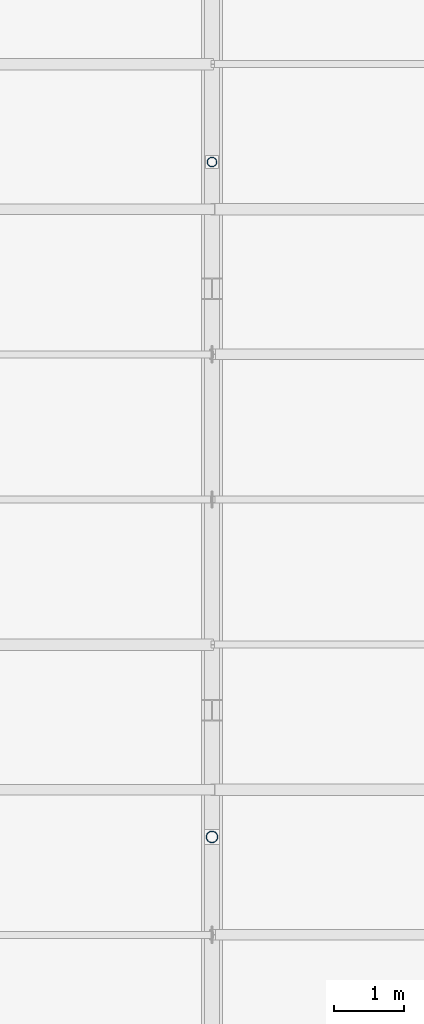
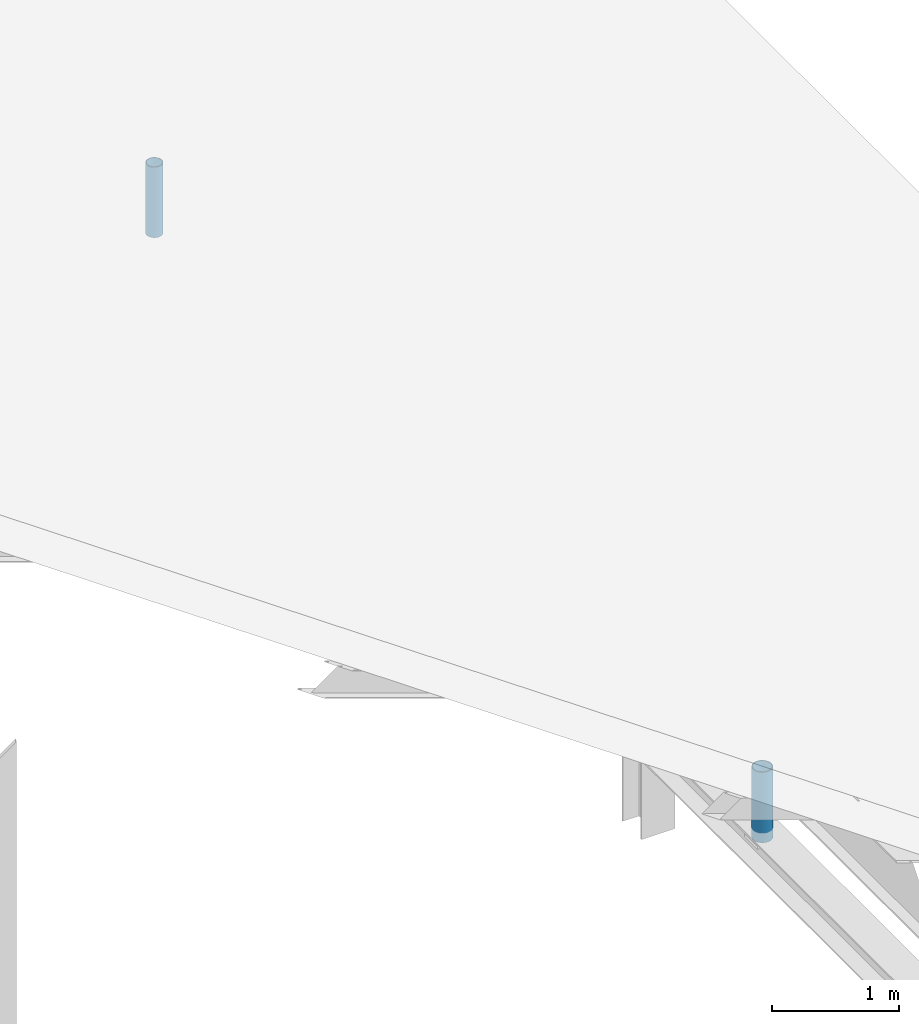
# One storey, part 32 of 74: 2 members.
"""IFC4 building model written with IfcOpenShell, lengths in metres."""

from ifc_helpers import new_model, si_unit, direction, frame, origin, origin_2d, place, context, subcontext, project, spatial, hollow_circle, extrude, material, material_profile, profile_set, type_object, element, save


model = new_model("IFC4")

# Units and contexts
model_context = context("Model", 3, precision=1e-05, world=origin(), true_north=direction((0.0, 1.0)))
body_context = subcontext(model_context, "Body", "Model", "MODEL_VIEW")
ifc_project = project(units=[si_unit("LENGTHUNIT", "METRE"), si_unit("AREAUNIT", "SQUARE_METRE"), si_unit("VOLUMEUNIT", "CUBIC_METRE"), si_unit("PLANEANGLEUNIT", "RADIAN"), si_unit("MASSUNIT", "GRAM", prefix="KILO")], contexts=[model_context])

# Site, building, storey
site_placement = place(None, origin())
site = spatial("IfcSite", under=ifc_project, at=site_placement, CompositionType="ELEMENT")
building_placement = place(site_placement, origin())
building = spatial("IfcBuilding", under=site, at=building_placement, Name="Siltcreek Boulevard Central Fire Station", CompositionType="ELEMENT")
storey_placement = place(building_placement, frame((0.0, 0.0, 25.199951171875)))
storey = spatial("IfcBuildingStorey", under=building, at=storey_placement, Name="RF", CompositionType="ELEMENT", Elevation=25.199951171875)

# Members
ifc_material = material(Name="Structural steel ASTM A500 GrC", Category="steel")
ifc_material_profile_1 = material_profile(ifc_material, hollow_circle(Radius=0.06982421875, WallThickness=0.00634765625, at=origin_2d()), Name="HSS139.7X6.4")
ifc_profile_set_1 = profile_set([ifc_material_profile_1], Name="Structural steel ASTM A500 GrC")
member_type_1 = type_object("IfcMemberType", Name="BR_CHS139", PredefinedType="BRACE", material=ifc_profile_set_1)
member_1_placement = place(storey_placement, frame((102.0, 43.800048828125, -10.225830078125), z_axis=(0.0, 0.0, 1.0), x_axis=(1.0, 0.0, 0.0)))
element("IfcMember", 1, at=member_1_placement, inside=storey, type_object=member_type_1, Name="Roof truss web strut BR-049", PredefinedType="BRACE", context=body_context, shape_type="SweptSolid", body=[
    extrude(hollow_circle(Radius=0.06982421875, WallThickness=0.00634765625, at=origin_2d()), origin(), (0.0, 0.0, 1.0), 0.68017578125),
])
ifc_material_profile_2 = material_profile(ifc_material, hollow_circle(Radius=0.084228515625, WallThickness=0.007080078125, at=origin_2d()), Name="HSS168.3X7.1")
ifc_profile_set_2 = profile_set([ifc_material_profile_2], Name="Structural steel ASTM A500 GrC")
member_type_2 = type_object("IfcMemberType", Name="BR_CHS168", PredefinedType="BRACE", material=ifc_profile_set_2)
member_2_placement = place(storey_placement, frame((102.0, 34.199951171875, -10.225830078125), z_axis=(0.0, 0.0, 1.0), x_axis=(1.0, 0.0, 0.0)))
element("IfcMember", 2, at=member_2_placement, inside=storey, type_object=member_type_2, Name="Roof truss web strut BR-048", PredefinedType="BRACE", context=body_context, shape_type="SweptSolid", body=[
    extrude(hollow_circle(Radius=0.084228515625, WallThickness=0.007080078125, at=origin_2d()), origin(), (0.0, 0.0, 1.0), 0.68017578125),
])

save(model, "model.ifc")
